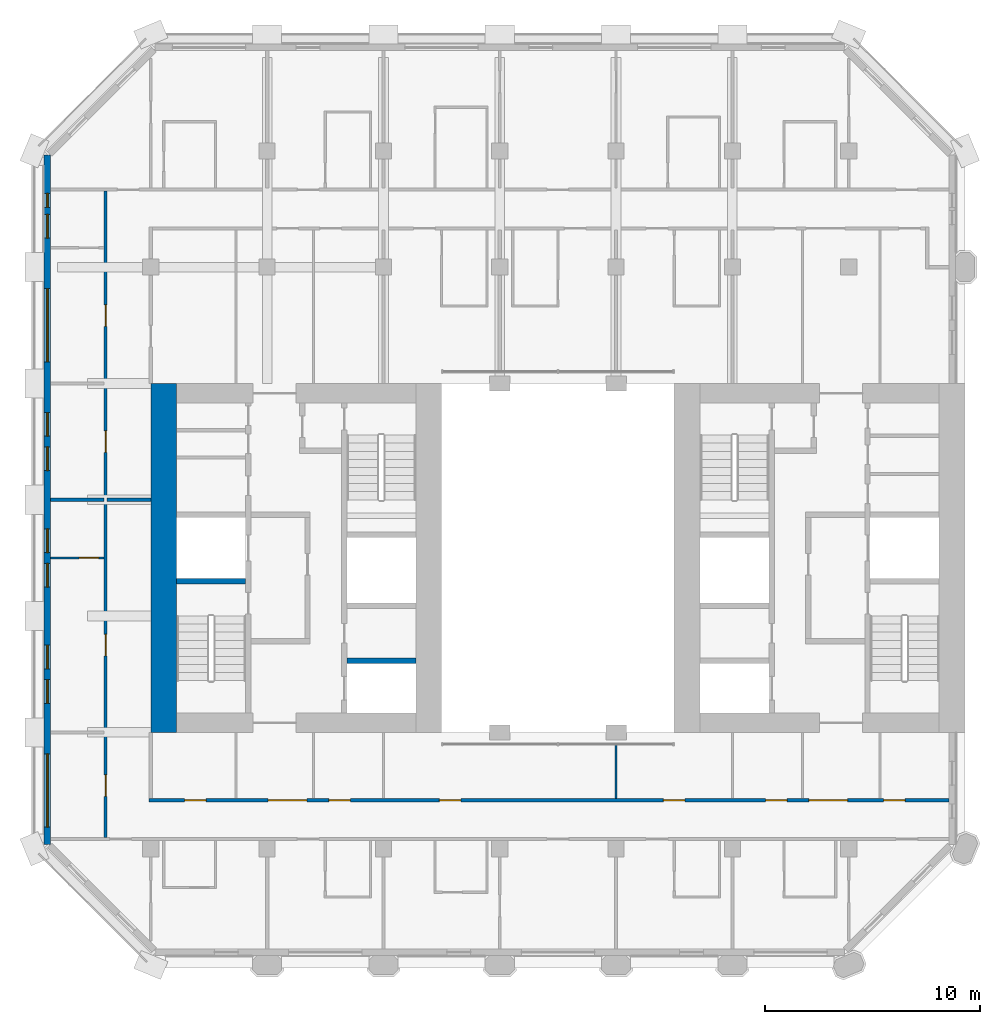
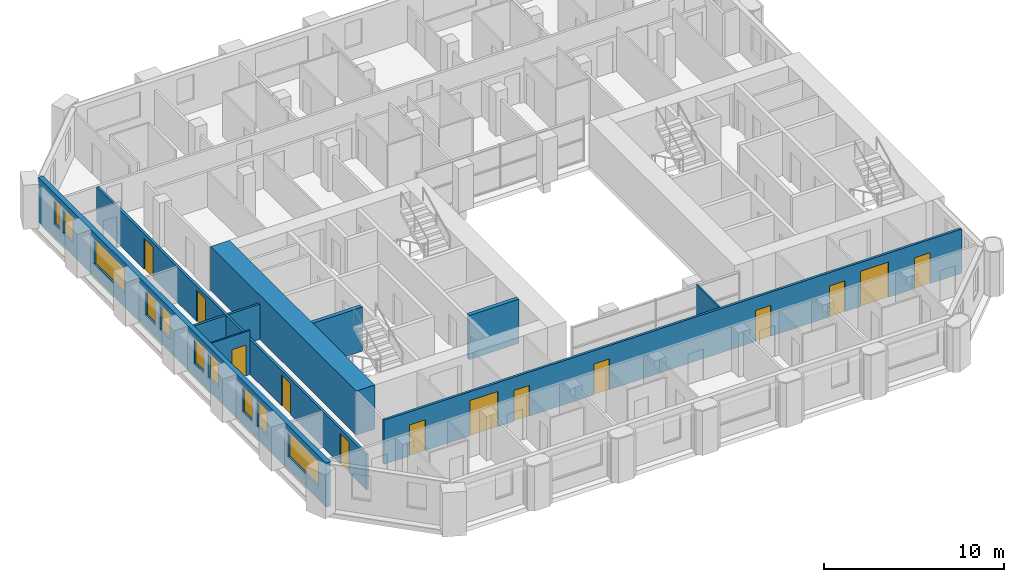
# One storey, part 7 of 14: 13 doors, 10 walls, 10 windows, 23 openings.
"""IFC4 building model written with IfcOpenShell, lengths in metres."""

from ifc_helpers import new_model, si_unit, direction, frame, frame_2d, origin, place, context, subcontext, project, spatial, rectangle, extrude, material, layer, layer_set, type_object, element, fill, save


model = new_model("IFC4")

# Units and contexts
model_context = context("Model", 3, precision=1e-05, world=origin(), true_north=direction((0.0, 1.0)))
body_context = subcontext(model_context, "Body", "Model", "MODEL_VIEW")
ifc_project = project(units=[si_unit("LENGTHUNIT", "METRE"), si_unit("AREAUNIT", "SQUARE_METRE"), si_unit("VOLUMEUNIT", "CUBIC_METRE"), si_unit("PLANEANGLEUNIT", "RADIAN"), si_unit("MASSUNIT", "GRAM", prefix="KILO")], contexts=[model_context])

# Site, building, storey
site_placement = place(None, origin())
site = spatial("IfcSite", under=ifc_project, at=site_placement, CompositionType="ELEMENT")
building_placement = place(site_placement, origin())
building = spatial("IfcBuilding", under=site, at=building_placement, Name="Tabaq Tower and Sports Hall", CompositionType="ELEMENT")
storey_placement = place(building_placement, frame((0.0, 0.0, 223.60009765625)))
storey = spatial("IfcBuildingStorey", under=building, at=storey_placement, Name="L56", CompositionType="ELEMENT", Elevation=223.60009765625)

# Walls
ifc_material_1 = material(Name="Concrete C50/60", Category="concrete")
ifc_layer_1 = layer(ifc_material_1, 1.199951171875)
ifc_layer_set_1 = layer_set([ifc_layer_1], Name="Core wall 1200 Concrete C50/60")
wall_type_1 = type_object("IfcWallType", Name="Core wall 1200 Concrete C50/60", PredefinedType="SOLIDWALL", material=ifc_layer_set_1)
wall_1_placement = place(storey_placement, frame((6.0, 16.199951171875, 0.0), z_axis=(0.0, 0.0, 1.0), x_axis=(0.0, 1.0, 0.0)))
element("IfcWall", 1, at=wall_1_placement, inside=storey, type_object=wall_type_1, Name="Core wall W L56", PredefinedType="SOLIDWALL", context=body_context, shape_type="SweptSolid", body=[
    extrude(rectangle(XDim=16.199951171875, YDim=1.199951171875, at=frame_2d((8.10009765625, 0.0))), origin(), (0.0, 0.0, 1.0), 3.0),
])
ifc_material_2 = material(Name="Gypsum board on steel studs", Category="steel")
ifc_layer_2 = layer(ifc_material_2, 0.10009765625)
ifc_layer_set_2 = layer_set([ifc_layer_2], Name="Partition 100 Gypsum board")
wall_type_2 = type_object("IfcWallType", Name="Partition 100 Gypsum board", PredefinedType="PARTITIONING", material=ifc_layer_set_2)
wall_2_placement = place(storey_placement, frame((27.0, 15.705078125, 0.0), z_axis=(0.0, 0.0, 1.0), x_axis=(0.0, -1.0, 0.0)))
element("IfcWall", 2, at=wall_2_placement, inside=storey, type_object=wall_type_2, Name="Partition wall L56", PredefinedType="PARTITIONING", context=body_context, shape_type="SweptSolid", body=[
    extrude(rectangle(XDim=2.580078125, YDim=0.10009765625, at=frame_2d((1.2900390625, 0.0))), origin(), (0.0, 0.0, 1.0), 3.0),
])

# Wall, opening, door
wall_3_placement = place(storey_placement, frame((3.22509765625, 24.300048828125, 0.0), z_axis=(0.0, 0.0, 1.0), x_axis=(-1.0, 0.0, 0.0)))
wall_3 = element("IfcWall", 3, at=wall_3_placement, inside=storey, type_object=wall_type_2, Name="Partition wall L56", PredefinedType="PARTITIONING", context=body_context, shape_type="SweptSolid", body=[
    extrude(rectangle(XDim=2.47412109375, YDim=0.10009765625, at=frame_2d((1.237060546875, 0.0))), origin(), (0.0, 0.0, 1.0), 3.0),
])
opening_1_placement = place(wall_3_placement, frame((0.25, 0.0, 0.0)))
opening_1 = element("IfcOpeningElement", 4, at=opening_1_placement, cuts=wall_3, Name="Opening L56-023", PredefinedType="OPENING", context=body_context, shape_type="SweptSolid", body=[
    extrude(rectangle(XDim=0.89990234375, YDim=2.10009765625, at=frame_2d((0.449951171875, 1.050048828125))), frame((0.0, 0.050048828125, 0.0), z_axis=(0.0, -1.0, 0.0), x_axis=(1.0, 0.0, 0.0)), (0.0, 0.0, 1.0), 0.10009765625),
])
ifc_material_3 = material(Name="Timber leaf in steel frame", Category="steel")
door_type_1 = type_object("IfcDoorType", Name="Internal door 900 right hand", OperationType="SINGLE_SWING_RIGHT", PredefinedType="DOOR", material=ifc_material_3)
door_1_placement = place(opening_1_placement, origin())
door_1 = element("IfcDoor", 5, at=door_1_placement, inside=storey, type_object=door_type_1, Name="Internal door L56-023", OperationType="SINGLE_SWING_RIGHT", OverallHeight=2.10009765625, OverallWidth=0.89990234375, PredefinedType="DOOR", context=body_context, shape_type="SweptSolid", body=[
    extrude(rectangle(XDim=0.89990234375, YDim=2.10009765625, at=frame_2d((0.449951171875, 1.050048828125))), frame((0.0, 0.02490234375, 0.0), z_axis=(0.0, -1.0, 0.0), x_axis=(1.0, 0.0, 0.0)), (0.0, 0.0, 1.0), 0.050048828125),
])
fill(opening_1, door_1)

# Walls
ifc_material_4 = material(Name="Blockwork", Category="masonry")
ifc_layer_3 = layer(ifc_material_4, 0.14990234375)
ifc_layer_set_3 = layer_set([ifc_layer_3], Name="Separating wall 150 Blockwork")
wall_type_3 = type_object("IfcWallType", Name="Separating wall 150 Blockwork", PredefinedType="PARTITIONING", material=ifc_layer_set_3)
wall_4_placement = place(storey_placement, frame((0.7509765625, 27.0, 0.0), z_axis=(0.0, 0.0, 1.0), x_axis=(1.0, 0.0, 0.0)))
element("IfcWall", 6, at=wall_4_placement, inside=storey, type_object=wall_type_3, Name="Separating wall L56", PredefinedType="PARTITIONING", context=body_context, shape_type="SweptSolid", body=[
    extrude(rectangle(XDim=2.47412109375, YDim=0.14990234375, at=frame_2d((1.237060546875, 0.0))), origin(), (0.0, 0.0, 1.0), 2.39990234375),
])
wall_5_placement = place(storey_placement, frame((3.375, 27.0, 0.0), z_axis=(0.0, 0.0, 1.0), x_axis=(1.0, 0.0, 0.0)))
element("IfcWall", 7, at=wall_5_placement, inside=storey, type_object=wall_type_3, Name="Separating wall L56", PredefinedType="PARTITIONING", context=body_context, shape_type="SweptSolid", body=[
    extrude(rectangle(XDim=2.02490234375, YDim=0.14990234375, at=frame_2d((1.012451171875, 0.0))), origin(), (0.0, 0.0, 1.0), 2.39990234375),
])

# Wall, openings, doors
wall_6_placement = place(storey_placement, frame((3.300048828125, 11.324951171875, 0.0), z_axis=(0.0, 0.0, 1.0), x_axis=(0.0, 1.0, 0.0)))
wall_6 = element("IfcWall", 8, at=wall_6_placement, inside=storey, type_object=wall_type_3, Name="Separating wall L56", PredefinedType="PARTITIONING", context=body_context, shape_type="SweptSolid", body=[
    extrude(rectangle(XDim=30.0, YDim=0.14990234375, at=frame_2d((15.0, 0.0))), origin(), (0.0, 0.0, 1.0), 2.39990234375),
])
opening_2_placement = place(wall_6_placement, frame((17.875, 0.0, 0.0)))
opening_2 = element("IfcOpeningElement", 9, at=opening_2_placement, cuts=wall_6, Name="Opening L56-010", PredefinedType="OPENING", context=body_context, shape_type="SweptSolid", body=[
    extrude(rectangle(XDim=1.0, YDim=2.10009765625, at=frame_2d((0.5, 1.050048828125))), frame((0.0, 0.074951171875, 0.0), z_axis=(0.0, -1.0, 0.0), x_axis=(1.0, 0.0, 0.0)), (0.0, 0.0, 1.0), 0.14990234375),
])
opening_3_placement = place(wall_6_placement, frame((1.89990234375, 0.0, 0.0)))
opening_3 = element("IfcOpeningElement", 10, at=opening_3_placement, cuts=wall_6, Name="Opening L56-015", PredefinedType="OPENING", context=body_context, shape_type="SweptSolid", body=[
    extrude(rectangle(XDim=1.0, YDim=2.10009765625, at=frame_2d((0.5, 1.050048828125))), frame((0.0, 0.074951171875, 0.0), z_axis=(0.0, -1.0, 0.0), x_axis=(1.0, 0.0, 0.0)), (0.0, 0.0, 1.0), 0.14990234375),
])
opening_4_placement = place(wall_6_placement, frame((23.72509765625, 0.0, 0.0)))
opening_4 = element("IfcOpeningElement", 11, at=opening_4_placement, cuts=wall_6, Name="Opening L56-031", PredefinedType="OPENING", context=body_context, shape_type="SweptSolid", body=[
    extrude(rectangle(XDim=1.0, YDim=2.10009765625, at=frame_2d((0.5, 1.050048828125))), frame((0.0, 0.074951171875, 0.0), z_axis=(0.0, -1.0, 0.0), x_axis=(1.0, 0.0, 0.0)), (0.0, 0.0, 1.0), 0.14990234375),
])
opening_5_placement = place(wall_6_placement, frame((8.425048828125, 0.0, 0.0)))
opening_5 = element("IfcOpeningElement", 12, at=opening_5_placement, cuts=wall_6, Name="Opening L56-049", PredefinedType="OPENING", context=body_context, shape_type="SweptSolid", body=[
    extrude(rectangle(XDim=1.0, YDim=2.10009765625, at=frame_2d((0.5, 1.050048828125))), frame((0.0, 0.074951171875, 0.0), z_axis=(0.0, -1.0, 0.0), x_axis=(1.0, 0.0, 0.0)), (0.0, 0.0, 1.0), 0.14990234375),
])
ifc_material_5 = material(Name="Steel fire door", Category="steel")
door_type_2 = type_object("IfcDoorType", Name="Entrance door 1000 left hand", OperationType="SINGLE_SWING_LEFT", PredefinedType="DOOR", material=ifc_material_5)
door_2_placement = place(opening_4_placement, origin())
door_2 = element("IfcDoor", 13, at=door_2_placement, inside=storey, type_object=door_type_2, Name="Entrance door L56-031", OperationType="SINGLE_SWING_LEFT", OverallHeight=2.10009765625, OverallWidth=1.0, PredefinedType="DOOR", context=body_context, shape_type="SweptSolid", body=[
    extrude(rectangle(XDim=1.0, YDim=2.10009765625, at=frame_2d((0.5, 1.050048828125))), frame((0.0, 0.02490234375, 0.0), z_axis=(0.0, -1.0, 0.0), x_axis=(1.0, 0.0, 0.0)), (0.0, 0.0, 1.0), 0.050048828125),
])
fill(opening_4, door_2)
door_3_placement = place(opening_5_placement, origin())
door_3 = element("IfcDoor", 14, at=door_3_placement, inside=storey, type_object=door_type_2, Name="Entrance door L56-049", OperationType="SINGLE_SWING_LEFT", OverallHeight=2.10009765625, OverallWidth=1.0, PredefinedType="DOOR", context=body_context, shape_type="SweptSolid", body=[
    extrude(rectangle(XDim=1.0, YDim=2.10009765625, at=frame_2d((0.5, 1.050048828125))), frame((0.0, 0.02490234375, 0.0), z_axis=(0.0, -1.0, 0.0), x_axis=(1.0, 0.0, 0.0)), (0.0, 0.0, 1.0), 0.050048828125),
])
fill(opening_5, door_3)
ifc_material_6 = material(Name="Timber leaf in steel frame", Category="steel")
door_type_3 = type_object("IfcDoorType", Name="Internal door 1000 left hand", OperationType="SINGLE_SWING_LEFT", PredefinedType="DOOR", material=ifc_material_6)
door_4_placement = place(opening_3_placement, origin())
door_4 = element("IfcDoor", 15, at=door_4_placement, inside=storey, type_object=door_type_3, Name="Internal door L56-015", OperationType="SINGLE_SWING_LEFT", OverallHeight=2.10009765625, OverallWidth=1.0, PredefinedType="DOOR", context=body_context, shape_type="SweptSolid", body=[
    extrude(rectangle(XDim=1.0, YDim=2.10009765625, at=frame_2d((0.5, 1.050048828125))), frame((0.0, 0.02490234375, 0.0), z_axis=(0.0, -1.0, 0.0), x_axis=(1.0, 0.0, 0.0)), (0.0, 0.0, 1.0), 0.050048828125),
])
fill(opening_3, door_4)
ifc_material_7 = material(Name="Timber leaf in steel frame", Category="steel")
door_type_4 = type_object("IfcDoorType", Name="Internal door 1000 right hand", OperationType="SINGLE_SWING_RIGHT", PredefinedType="DOOR", material=ifc_material_7)
door_5_placement = place(opening_2_placement, origin())
door_5 = element("IfcDoor", 16, at=door_5_placement, inside=storey, type_object=door_type_4, Name="Internal door L56-010", OperationType="SINGLE_SWING_RIGHT", OverallHeight=2.10009765625, OverallWidth=1.0, PredefinedType="DOOR", context=body_context, shape_type="SweptSolid", body=[
    extrude(rectangle(XDim=1.0, YDim=2.10009765625, at=frame_2d((0.5, 1.050048828125))), frame((0.0, 0.02490234375, 0.0), z_axis=(0.0, -1.0, 0.0), x_axis=(1.0, 0.0, 0.0)), (0.0, 0.0, 1.0), 0.050048828125),
])
fill(opening_2, door_5)

wall_7_placement = place(storey_placement, frame((5.324951171875, 13.050048828125, 0.0), z_axis=(0.0, 0.0, 1.0), x_axis=(1.0, 0.0, 0.0)))
wall_7 = element("IfcWall", 17, at=wall_7_placement, inside=storey, type_object=wall_type_3, Name="Separating wall L56", PredefinedType="PARTITIONING", context=body_context, shape_type="SweptSolid", body=[
    extrude(rectangle(XDim=37.1240234375, YDim=0.14990234375, at=frame_2d((18.56201171875, 0.0))), origin(), (0.0, 0.0, 1.0), 3.0),
])
opening_6_placement = place(wall_7_placement, frame((23.875, 0.0, 0.0)))
opening_6 = element("IfcOpeningElement", 18, at=opening_6_placement, cuts=wall_7, Name="Opening L56-021", PredefinedType="OPENING", context=body_context, shape_type="SweptSolid", body=[
    extrude(rectangle(XDim=1.0, YDim=2.10009765625, at=frame_2d((0.5, 1.050048828125))), frame((0.0, 0.074951171875, 0.0), z_axis=(0.0, -1.0, 0.0), x_axis=(1.0, 0.0, 0.0)), (0.0, 0.0, 1.0), 0.14990234375),
])
opening_7_placement = place(wall_7_placement, frame((13.47509765625, 0.0, 0.0)))
opening_7 = element("IfcOpeningElement", 19, at=opening_7_placement, cuts=wall_7, Name="Opening L56-022", PredefinedType="OPENING", context=body_context, shape_type="SweptSolid", body=[
    extrude(rectangle(XDim=1.0, YDim=2.10009765625, at=frame_2d((0.5, 1.050048828125))), frame((0.0, 0.074951171875, 0.0), z_axis=(0.0, -1.0, 0.0), x_axis=(1.0, 0.0, 0.0)), (0.0, 0.0, 1.0), 0.14990234375),
])
opening_8_placement = place(wall_7_placement, frame((34.094970703125, 0.0, 0.0)))
opening_8 = element("IfcOpeningElement", 20, at=opening_8_placement, cuts=wall_7, Name="Opening L56-024", PredefinedType="OPENING", context=body_context, shape_type="SweptSolid", body=[
    extrude(rectangle(XDim=1.0, YDim=2.10009765625, at=frame_2d((0.5, 1.050048828125))), frame((0.0, 0.074951171875, 0.0), z_axis=(0.0, -1.0, 0.0), x_axis=(1.0, 0.0, 0.0)), (0.0, 0.0, 1.0), 0.14990234375),
])
opening_9_placement = place(wall_7_placement, frame((8.3369140625, 0.0, 0.0)))
opening_9 = element("IfcOpeningElement", 21, at=opening_9_placement, cuts=wall_7, Name="Opening L56-025", PredefinedType="OPENING", context=body_context, shape_type="SweptSolid", body=[
    extrude(rectangle(XDim=1.0, YDim=2.10009765625, at=frame_2d((0.5, 1.050048828125))), frame((0.0, 0.074951171875, 0.0), z_axis=(0.0, -1.0, 0.0), x_axis=(1.0, 0.0, 0.0)), (0.0, 0.0, 1.0), 0.14990234375),
])
opening_10_placement = place(wall_7_placement, frame((1.64794921875, 0.0, 0.0)))
opening_10 = element("IfcOpeningElement", 22, at=opening_10_placement, cuts=wall_7, Name="Opening L56-026", PredefinedType="OPENING", context=body_context, shape_type="SweptSolid", body=[
    extrude(rectangle(XDim=1.0, YDim=2.10009765625, at=frame_2d((0.5, 1.050048828125))), frame((0.0, 0.074951171875, 0.0), z_axis=(0.0, -1.0, 0.0), x_axis=(1.0, 0.0, 0.0)), (0.0, 0.0, 1.0), 0.14990234375),
])
opening_11_placement = place(wall_7_placement, frame((28.613037109375, 0.0, 0.0)))
opening_11 = element("IfcOpeningElement", 23, at=opening_11_placement, cuts=wall_7, Name="Opening L56-027", PredefinedType="OPENING", context=body_context, shape_type="SweptSolid", body=[
    extrude(rectangle(XDim=1.0, YDim=2.10009765625, at=frame_2d((0.5, 1.050048828125))), frame((0.0, 0.074951171875, 0.0), z_axis=(0.0, -1.0, 0.0), x_axis=(1.0, 0.0, 0.0)), (0.0, 0.0, 1.0), 0.14990234375),
])
opening_12_placement = place(wall_7_placement, frame((30.625, 0.0, 0.0)))
opening_12 = element("IfcOpeningElement", 24, at=opening_12_placement, cuts=wall_7, Name="Opening L56-050", PredefinedType="OPENING", context=body_context, shape_type="SweptSolid", body=[
    extrude(rectangle(XDim=1.800048828125, YDim=2.39990234375, at=frame_2d((0.89990234375, 1.199951171875))), frame((0.0, 0.074951171875, 0.0), z_axis=(0.0, -1.0, 0.0), x_axis=(1.0, 0.0, 0.0)), (0.0, 0.0, 1.0), 0.14990234375),
])
opening_13_placement = place(wall_7_placement, frame((5.52490234375, 0.0, 0.0)))
opening_13 = element("IfcOpeningElement", 25, at=opening_13_placement, cuts=wall_7, Name="Opening L56-051", PredefinedType="OPENING", context=body_context, shape_type="SweptSolid", body=[
    extrude(rectangle(XDim=1.800048828125, YDim=2.39990234375, at=frame_2d((0.89990234375, 1.199951171875))), frame((0.0, 0.074951171875, 0.0), z_axis=(0.0, -1.0, 0.0), x_axis=(1.0, 0.0, 0.0)), (0.0, 0.0, 1.0), 0.14990234375),
])
door_6_placement = place(opening_6_placement, origin())
door_6 = element("IfcDoor", 26, at=door_6_placement, inside=storey, type_object=door_type_3, Name="Internal door L56-021", OperationType="SINGLE_SWING_LEFT", OverallHeight=2.10009765625, OverallWidth=1.0, PredefinedType="DOOR", context=body_context, shape_type="SweptSolid", body=[
    extrude(rectangle(XDim=1.0, YDim=2.10009765625, at=frame_2d((0.5, 1.050048828125))), frame((0.0, 0.02490234375, 0.0), z_axis=(0.0, -1.0, 0.0), x_axis=(1.0, 0.0, 0.0)), (0.0, 0.0, 1.0), 0.050048828125),
])
fill(opening_6, door_6)
door_7_placement = place(opening_7_placement, origin())
door_7 = element("IfcDoor", 27, at=door_7_placement, inside=storey, type_object=door_type_3, Name="Internal door L56-022", OperationType="SINGLE_SWING_LEFT", OverallHeight=2.10009765625, OverallWidth=1.0, PredefinedType="DOOR", context=body_context, shape_type="SweptSolid", body=[
    extrude(rectangle(XDim=1.0, YDim=2.10009765625, at=frame_2d((0.5, 1.050048828125))), frame((0.0, 0.02490234375, 0.0), z_axis=(0.0, -1.0, 0.0), x_axis=(1.0, 0.0, 0.0)), (0.0, 0.0, 1.0), 0.050048828125),
])
fill(opening_7, door_7)
door_8_placement = place(opening_9_placement, origin())
door_8 = element("IfcDoor", 28, at=door_8_placement, inside=storey, type_object=door_type_3, Name="Internal door L56-025", OperationType="SINGLE_SWING_LEFT", OverallHeight=2.10009765625, OverallWidth=1.0, PredefinedType="DOOR", context=body_context, shape_type="SweptSolid", body=[
    extrude(rectangle(XDim=1.0, YDim=2.10009765625, at=frame_2d((0.5, 1.050048828125))), frame((0.0, 0.02490234375, 0.0), z_axis=(0.0, -1.0, 0.0), x_axis=(1.0, 0.0, 0.0)), (0.0, 0.0, 1.0), 0.050048828125),
])
fill(opening_9, door_8)
door_9_placement = place(opening_11_placement, origin())
door_9 = element("IfcDoor", 29, at=door_9_placement, inside=storey, type_object=door_type_3, Name="Internal door L56-027", OperationType="SINGLE_SWING_LEFT", OverallHeight=2.10009765625, OverallWidth=1.0, PredefinedType="DOOR", context=body_context, shape_type="SweptSolid", body=[
    extrude(rectangle(XDim=1.0, YDim=2.10009765625, at=frame_2d((0.5, 1.050048828125))), frame((0.0, 0.02490234375, 0.0), z_axis=(0.0, -1.0, 0.0), x_axis=(1.0, 0.0, 0.0)), (0.0, 0.0, 1.0), 0.050048828125),
])
fill(opening_11, door_9)
door_10_placement = place(opening_8_placement, origin())
door_10 = element("IfcDoor", 30, at=door_10_placement, inside=storey, type_object=door_type_4, Name="Internal door L56-024", OperationType="SINGLE_SWING_RIGHT", OverallHeight=2.10009765625, OverallWidth=1.0, PredefinedType="DOOR", context=body_context, shape_type="SweptSolid", body=[
    extrude(rectangle(XDim=1.0, YDim=2.10009765625, at=frame_2d((0.5, 1.050048828125))), frame((0.0, 0.02490234375, 0.0), z_axis=(0.0, -1.0, 0.0), x_axis=(1.0, 0.0, 0.0)), (0.0, 0.0, 1.0), 0.050048828125),
])
fill(opening_8, door_10)
door_11_placement = place(opening_10_placement, origin())
door_11 = element("IfcDoor", 31, at=door_11_placement, inside=storey, type_object=door_type_4, Name="Internal door L56-026", OperationType="SINGLE_SWING_RIGHT", OverallHeight=2.10009765625, OverallWidth=1.0, PredefinedType="DOOR", context=body_context, shape_type="SweptSolid", body=[
    extrude(rectangle(XDim=1.0, YDim=2.10009765625, at=frame_2d((0.5, 1.050048828125))), frame((0.0, 0.02490234375, 0.0), z_axis=(0.0, -1.0, 0.0), x_axis=(1.0, 0.0, 0.0)), (0.0, 0.0, 1.0), 0.050048828125),
])
fill(opening_10, door_11)
ifc_material_8 = material(Name="Timber leaf in steel frame", Category="steel")
door_type_5 = type_object("IfcDoorType", Name="Internal door 1800", OperationType="DOUBLE_DOOR_SINGLE_SWING", PredefinedType="DOOR", material=ifc_material_8)
door_12_placement = place(opening_12_placement, origin())
door_12 = element("IfcDoor", 32, at=door_12_placement, inside=storey, type_object=door_type_5, Name="Internal door L56-050", OperationType="DOUBLE_DOOR_SINGLE_SWING", OverallHeight=2.39990234375, OverallWidth=1.800048828125, PredefinedType="DOOR", context=body_context, shape_type="SweptSolid", body=[
    extrude(rectangle(XDim=1.800048828125, YDim=2.39990234375, at=frame_2d((0.89990234375, 1.199951171875))), frame((0.0, 0.02490234375, 0.0), z_axis=(0.0, -1.0, 0.0), x_axis=(1.0, 0.0, 0.0)), (0.0, 0.0, 1.0), 0.050048828125),
])
fill(opening_12, door_12)
door_13_placement = place(opening_13_placement, origin())
door_13 = element("IfcDoor", 33, at=door_13_placement, inside=storey, type_object=door_type_5, Name="Internal door L56-051", OperationType="DOUBLE_DOOR_SINGLE_SWING", OverallHeight=2.39990234375, OverallWidth=1.800048828125, PredefinedType="DOOR", context=body_context, shape_type="SweptSolid", body=[
    extrude(rectangle(XDim=1.800048828125, YDim=2.39990234375, at=frame_2d((0.89990234375, 1.199951171875))), frame((0.0, 0.02490234375, 0.0), z_axis=(0.0, -1.0, 0.0), x_axis=(1.0, 0.0, 0.0)), (0.0, 0.0, 1.0), 0.050048828125),
])
fill(opening_13, door_13)

# Walls
ifc_material_9 = material(Name="Concrete C40/50", Category="concrete")
ifc_layer_4 = layer(ifc_material_9, 0.25)
ifc_layer_set_4 = layer_set([ifc_layer_4], Name="Shaft and stair wall 250 Concrete C40/50")
wall_type_4 = type_object("IfcWallType", Name="Shaft and stair wall 250 Concrete C40/50", PredefinedType="SOLIDWALL", material=ifc_layer_set_4)
for number, where, z_axis, x_axis, name in (
    (34, (6.60009765625, 23.22509765625, 0.0), (0.0, 0.0, 1.0), (1.0, 0.0, 0.0), "Stair enclosure wall W L56"),
    (35, (14.5, 19.52490234375, 0.0), (0.0, 0.0, 1.0), (1.0, 0.0, 0.0), "Shaft wall W L56"),
):
    element("IfcWall", number, at=place(storey_placement, frame(where, z_axis=z_axis, x_axis=x_axis)), inside=storey, type_object=wall_type_4, Name=name, PredefinedType="SOLIDWALL", context=body_context, shape_type="SweptSolid", body=[
        extrude(rectangle(XDim=3.199951171875, YDim=0.25, at=frame_2d((1.60009765625, 0.0))), origin(), (0.0, 0.0, 1.0), 3.0),
    ])

# Wall, openings, windows
ifc_material_10 = material(Name="White precast concrete C60/75", Category="concrete")
ifc_layer_5 = layer(ifc_material_10, 0.300048828125)
ifc_layer_set_5 = layer_set([ifc_layer_5], Name="White precast concrete C60/75 external wall 300")
wall_type_5 = type_object("IfcWallType", Name="White precast concrete C60/75 external wall 300", PredefinedType="SOLIDWALL", material=ifc_layer_set_5)
wall_8_placement = place(storey_placement, frame((0.60009765625, 43.013671875, 0.0), z_axis=(0.0, 0.0, 1.0), x_axis=(0.0, -1.0, 0.0)))
wall_8 = element("IfcWall", 36, at=wall_8_placement, inside=storey, type_object=wall_type_5, Name="External Wall L56 W", PredefinedType="SOLIDWALL", context=body_context, shape_type="SweptSolid", body=[
    extrude(rectangle(XDim=32.02734375, YDim=0.300048828125, at=frame_2d((16.013671875, 0.0))), origin(), (0.0, 0.0, 1.0), 3.0),
])
opening_14_placement = place(wall_8_placement, frame((1.78857421875, 0.0, 0.89990234375)))
opening_14 = element("IfcOpeningElement", 37, at=opening_14_placement, cuts=wall_8, Name="Opening W1C", PredefinedType="OPENING", context=body_context, shape_type="SweptSolid", body=[
    extrude(rectangle(XDim=0.64990234375, YDim=1.699951171875, at=frame_2d((0.324951171875, 0.85009765625))), frame((0.0, 0.16015625, 0.0), z_axis=(0.0, -1.0, 0.0), x_axis=(1.0, 0.0, 0.0)), (0.0, 0.0, 1.0), 0.320068359375),
])
opening_15_placement = place(wall_8_placement, frame((2.763671875, 0.0, 0.89990234375)))
opening_15 = element("IfcOpeningElement", 38, at=opening_15_placement, cuts=wall_8, Name="Opening W1B", PredefinedType="OPENING", context=body_context, shape_type="SweptSolid", body=[
    extrude(rectangle(XDim=1.10009765625, YDim=1.699951171875, at=frame_2d((0.550048828125, 0.85009765625))), frame((0.0, 0.16015625, 0.0), z_axis=(0.0, -1.0, 0.0), x_axis=(1.0, 0.0, 0.0)), (0.0, 0.0, 1.0), 0.320068359375),
])
opening_16_placement = place(wall_8_placement, frame((6.213623046875, 0.0, 0.89990234375)))
opening_16 = element("IfcOpeningElement", 39, at=opening_16_placement, cuts=wall_8, Name="Opening W1A", PredefinedType="OPENING", context=body_context, shape_type="SweptSolid", body=[
    extrude(rectangle(XDim=3.39990234375, YDim=1.699951171875, at=frame_2d((1.699951171875, 0.85009765625))), frame((0.0, 0.16015625, 0.0), z_axis=(0.0, -1.0, 0.0), x_axis=(1.0, 0.0, 0.0)), (0.0, 0.0, 1.0), 0.320068359375),
])
opening_17_placement = place(wall_8_placement, frame((11.963623046875, 0.0, 0.89990234375)))
opening_17 = element("IfcOpeningElement", 40, at=opening_17_placement, cuts=wall_8, Name="Opening W1B", PredefinedType="OPENING", context=body_context, shape_type="SweptSolid", body=[
    extrude(rectangle(XDim=1.10009765625, YDim=1.699951171875, at=frame_2d((0.550048828125, 0.85009765625))), frame((0.0, 0.16015625, 0.0), z_axis=(0.0, -1.0, 0.0), x_axis=(1.0, 0.0, 0.0)), (0.0, 0.0, 1.0), 0.320068359375),
])
opening_18_placement = place(wall_8_placement, frame((13.563720703125, 0.0, 0.89990234375)))
opening_18 = element("IfcOpeningElement", 41, at=opening_18_placement, cuts=wall_8, Name="Opening W1B", PredefinedType="OPENING", context=body_context, shape_type="SweptSolid", body=[
    extrude(rectangle(XDim=1.10009765625, YDim=1.699951171875, at=frame_2d((0.550048828125, 0.85009765625))), frame((0.0, 0.16015625, 0.0), z_axis=(0.0, -1.0, 0.0), x_axis=(1.0, 0.0, 0.0)), (0.0, 0.0, 1.0), 0.320068359375),
])
opening_19_placement = place(wall_8_placement, frame((17.363525390625, 0.0, 0.89990234375)))
opening_19 = element("IfcOpeningElement", 42, at=opening_19_placement, cuts=wall_8, Name="Opening W1B", PredefinedType="OPENING", context=body_context, shape_type="SweptSolid", body=[
    extrude(rectangle(XDim=1.10009765625, YDim=1.699951171875, at=frame_2d((0.550048828125, 0.85009765625))), frame((0.0, 0.16015625, 0.0), z_axis=(0.0, -1.0, 0.0), x_axis=(1.0, 0.0, 0.0)), (0.0, 0.0, 1.0), 0.320068359375),
])
opening_20_placement = place(wall_8_placement, frame((18.963623046875, 0.0, 0.89990234375)))
opening_20 = element("IfcOpeningElement", 43, at=opening_20_placement, cuts=wall_8, Name="Opening W1B", PredefinedType="OPENING", context=body_context, shape_type="SweptSolid", body=[
    extrude(rectangle(XDim=1.10009765625, YDim=1.699951171875, at=frame_2d((0.550048828125, 0.85009765625))), frame((0.0, 0.16015625, 0.0), z_axis=(0.0, -1.0, 0.0), x_axis=(1.0, 0.0, 0.0)), (0.0, 0.0, 1.0), 0.320068359375),
])
opening_21_placement = place(wall_8_placement, frame((22.763671875, 0.0, 0.89990234375)))
opening_21 = element("IfcOpeningElement", 44, at=opening_21_placement, cuts=wall_8, Name="Opening W1B", PredefinedType="OPENING", context=body_context, shape_type="SweptSolid", body=[
    extrude(rectangle(XDim=1.10009765625, YDim=1.699951171875, at=frame_2d((0.550048828125, 0.85009765625))), frame((0.0, 0.16015625, 0.0), z_axis=(0.0, -1.0, 0.0), x_axis=(1.0, 0.0, 0.0)), (0.0, 0.0, 1.0), 0.320068359375),
])
opening_22_placement = place(wall_8_placement, frame((24.363525390625, 0.0, 0.89990234375)))
opening_22 = element("IfcOpeningElement", 45, at=opening_22_placement, cuts=wall_8, Name="Opening W1B", PredefinedType="OPENING", context=body_context, shape_type="SweptSolid", body=[
    extrude(rectangle(XDim=1.10009765625, YDim=1.699951171875, at=frame_2d((0.550048828125, 0.85009765625))), frame((0.0, 0.16015625, 0.0), z_axis=(0.0, -1.0, 0.0), x_axis=(1.0, 0.0, 0.0)), (0.0, 0.0, 1.0), 0.320068359375),
])
opening_23_placement = place(wall_8_placement, frame((27.813720703125, 0.0, 0.89990234375)))
opening_23 = element("IfcOpeningElement", 46, at=opening_23_placement, cuts=wall_8, Name="Opening W1A", PredefinedType="OPENING", context=body_context, shape_type="SweptSolid", body=[
    extrude(rectangle(XDim=3.39990234375, YDim=1.699951171875, at=frame_2d((1.699951171875, 0.85009765625))), frame((0.0, 0.16015625, 0.0), z_axis=(0.0, -1.0, 0.0), x_axis=(1.0, 0.0, 0.0)), (0.0, 0.0, 1.0), 0.320068359375),
])
ifc_material_11 = material(Name="Aluminium framed clear glazing", Category="aluminium")
window_type_1 = type_object("IfcWindowType", Name="Window W1A", PartitioningType="SINGLE_PANEL", PredefinedType="WINDOW", material=ifc_material_11)
window_1_placement = place(opening_16_placement, origin())
window_1 = element("IfcWindow", 47, at=window_1_placement, inside=storey, type_object=window_type_1, Name="Window W1A L56", OverallHeight=1.699951171875, OverallWidth=3.39990234375, PartitioningType="SINGLE_PANEL", PredefinedType="WINDOW", context=body_context, shape_type="SweptSolid", body=[
    extrude(rectangle(XDim=3.39990234375, YDim=1.699951171875, at=frame_2d((1.699951171875, 0.85009765625))), frame((0.0, 0.030029296875, 0.0), z_axis=(0.0, -1.0, 0.0), x_axis=(1.0, 0.0, 0.0)), (0.0, 0.0, 1.0), 0.06005859375),
])
fill(opening_16, window_1)
window_2_placement = place(opening_23_placement, origin())
window_2 = element("IfcWindow", 48, at=window_2_placement, inside=storey, type_object=window_type_1, Name="Window W1A L56", OverallHeight=1.699951171875, OverallWidth=3.39990234375, PartitioningType="SINGLE_PANEL", PredefinedType="WINDOW", context=body_context, shape_type="SweptSolid", body=[
    extrude(rectangle(XDim=3.39990234375, YDim=1.699951171875, at=frame_2d((1.699951171875, 0.85009765625))), frame((0.0, 0.030029296875, 0.0), z_axis=(0.0, -1.0, 0.0), x_axis=(1.0, 0.0, 0.0)), (0.0, 0.0, 1.0), 0.06005859375),
])
fill(opening_23, window_2)
ifc_material_12 = material(Name="Aluminium framed clear glazing", Category="aluminium")
window_type_2 = type_object("IfcWindowType", Name="Window W1B", PartitioningType="SINGLE_PANEL", PredefinedType="WINDOW", material=ifc_material_12)
window_3_placement = place(opening_15_placement, origin())
window_3 = element("IfcWindow", 49, at=window_3_placement, inside=storey, type_object=window_type_2, Name="Window W1B L56", OverallHeight=1.699951171875, OverallWidth=1.10009765625, PartitioningType="SINGLE_PANEL", PredefinedType="WINDOW", context=body_context, shape_type="SweptSolid", body=[
    extrude(rectangle(XDim=1.10009765625, YDim=1.699951171875, at=frame_2d((0.550048828125, 0.85009765625))), frame((0.0, 0.030029296875, 0.0), z_axis=(0.0, -1.0, 0.0), x_axis=(1.0, 0.0, 0.0)), (0.0, 0.0, 1.0), 0.06005859375),
])
fill(opening_15, window_3)
window_4_placement = place(opening_17_placement, origin())
window_4 = element("IfcWindow", 50, at=window_4_placement, inside=storey, type_object=window_type_2, Name="Window W1B L56", OverallHeight=1.699951171875, OverallWidth=1.10009765625, PartitioningType="SINGLE_PANEL", PredefinedType="WINDOW", context=body_context, shape_type="SweptSolid", body=[
    extrude(rectangle(XDim=1.10009765625, YDim=1.699951171875, at=frame_2d((0.550048828125, 0.85009765625))), frame((0.0, 0.030029296875, 0.0), z_axis=(0.0, -1.0, 0.0), x_axis=(1.0, 0.0, 0.0)), (0.0, 0.0, 1.0), 0.06005859375),
])
fill(opening_17, window_4)
window_5_placement = place(opening_18_placement, origin())
window_5 = element("IfcWindow", 51, at=window_5_placement, inside=storey, type_object=window_type_2, Name="Window W1B L56", OverallHeight=1.699951171875, OverallWidth=1.10009765625, PartitioningType="SINGLE_PANEL", PredefinedType="WINDOW", context=body_context, shape_type="SweptSolid", body=[
    extrude(rectangle(XDim=1.10009765625, YDim=1.699951171875, at=frame_2d((0.550048828125, 0.85009765625))), frame((0.0, 0.030029296875, 0.0), z_axis=(0.0, -1.0, 0.0), x_axis=(1.0, 0.0, 0.0)), (0.0, 0.0, 1.0), 0.06005859375),
])
fill(opening_18, window_5)
window_6_placement = place(opening_19_placement, origin())
window_6 = element("IfcWindow", 52, at=window_6_placement, inside=storey, type_object=window_type_2, Name="Window W1B L56", OverallHeight=1.699951171875, OverallWidth=1.10009765625, PartitioningType="SINGLE_PANEL", PredefinedType="WINDOW", context=body_context, shape_type="SweptSolid", body=[
    extrude(rectangle(XDim=1.10009765625, YDim=1.699951171875, at=frame_2d((0.550048828125, 0.85009765625))), frame((0.0, 0.030029296875, 0.0), z_axis=(0.0, -1.0, 0.0), x_axis=(1.0, 0.0, 0.0)), (0.0, 0.0, 1.0), 0.06005859375),
])
fill(opening_19, window_6)
window_7_placement = place(opening_20_placement, origin())
window_7 = element("IfcWindow", 53, at=window_7_placement, inside=storey, type_object=window_type_2, Name="Window W1B L56", OverallHeight=1.699951171875, OverallWidth=1.10009765625, PartitioningType="SINGLE_PANEL", PredefinedType="WINDOW", context=body_context, shape_type="SweptSolid", body=[
    extrude(rectangle(XDim=1.10009765625, YDim=1.699951171875, at=frame_2d((0.550048828125, 0.85009765625))), frame((0.0, 0.030029296875, 0.0), z_axis=(0.0, -1.0, 0.0), x_axis=(1.0, 0.0, 0.0)), (0.0, 0.0, 1.0), 0.06005859375),
])
fill(opening_20, window_7)
window_8_placement = place(opening_21_placement, origin())
window_8 = element("IfcWindow", 54, at=window_8_placement, inside=storey, type_object=window_type_2, Name="Window W1B L56", OverallHeight=1.699951171875, OverallWidth=1.10009765625, PartitioningType="SINGLE_PANEL", PredefinedType="WINDOW", context=body_context, shape_type="SweptSolid", body=[
    extrude(rectangle(XDim=1.10009765625, YDim=1.699951171875, at=frame_2d((0.550048828125, 0.85009765625))), frame((0.0, 0.030029296875, 0.0), z_axis=(0.0, -1.0, 0.0), x_axis=(1.0, 0.0, 0.0)), (0.0, 0.0, 1.0), 0.06005859375),
])
fill(opening_21, window_8)
window_9_placement = place(opening_22_placement, origin())
window_9 = element("IfcWindow", 55, at=window_9_placement, inside=storey, type_object=window_type_2, Name="Window W1B L56", OverallHeight=1.699951171875, OverallWidth=1.10009765625, PartitioningType="SINGLE_PANEL", PredefinedType="WINDOW", context=body_context, shape_type="SweptSolid", body=[
    extrude(rectangle(XDim=1.10009765625, YDim=1.699951171875, at=frame_2d((0.550048828125, 0.85009765625))), frame((0.0, 0.030029296875, 0.0), z_axis=(0.0, -1.0, 0.0), x_axis=(1.0, 0.0, 0.0)), (0.0, 0.0, 1.0), 0.06005859375),
])
fill(opening_22, window_9)
ifc_material_13 = material(Name="Aluminium framed clear glazing", Category="aluminium")
window_type_3 = type_object("IfcWindowType", Name="Window W1C", PartitioningType="SINGLE_PANEL", PredefinedType="WINDOW", material=ifc_material_13)
window_10_placement = place(opening_14_placement, origin())
window_10 = element("IfcWindow", 56, at=window_10_placement, inside=storey, type_object=window_type_3, Name="Window W1C L56", OverallHeight=1.699951171875, OverallWidth=0.64990234375, PartitioningType="SINGLE_PANEL", PredefinedType="WINDOW", context=body_context, shape_type="SweptSolid", body=[
    extrude(rectangle(XDim=0.64990234375, YDim=1.699951171875, at=frame_2d((0.324951171875, 0.85009765625))), frame((0.0, 0.030029296875, 0.0), z_axis=(0.0, -1.0, 0.0), x_axis=(1.0, 0.0, 0.0)), (0.0, 0.0, 1.0), 0.06005859375),
])
fill(opening_14, window_10)

save(model, "model.ifc")
